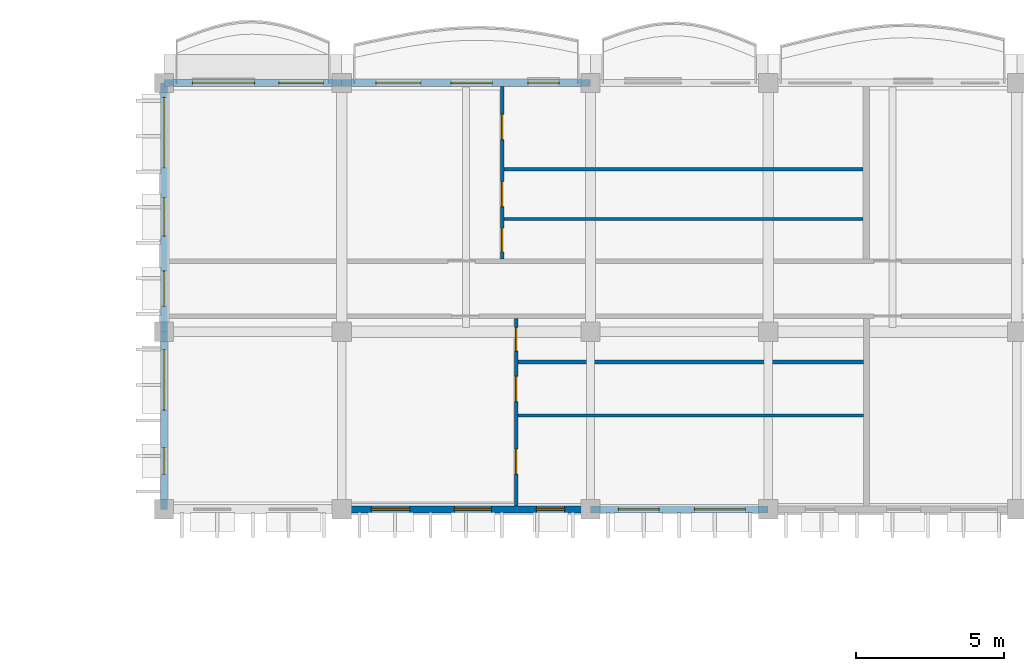
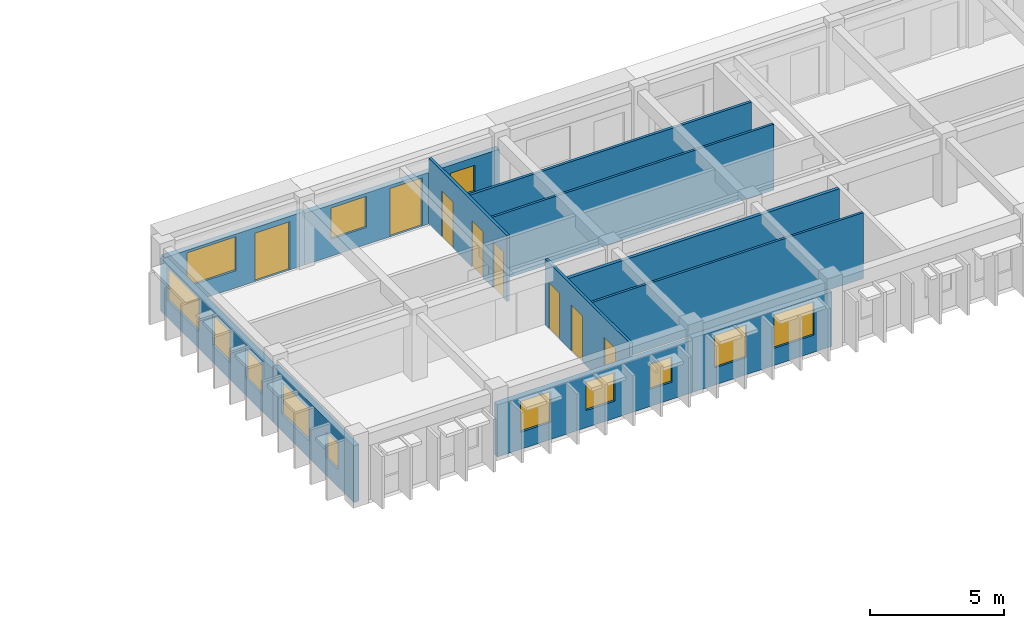
# One storey, part 54 of 101: 13 windows, 12 walls, 8 doors, 21 openings.
"""IFC4 building model written with IfcOpenShell, lengths in metres."""

from ifc_helpers import new_model, si_unit, direction, frame, frame_2d, origin, place, context, subcontext, project, spatial, rectangle, extrude, material, layer, layer_set, type_object, element, fill, save


model = new_model("IFC4")

# Units and contexts
model_context = context("Model", 3, precision=1e-05, world=origin(), true_north=direction((0.0, 1.0)))
body_context = subcontext(model_context, "Body", "Model", "MODEL_VIEW")
ifc_project = project(units=[si_unit("LENGTHUNIT", "METRE"), si_unit("AREAUNIT", "SQUARE_METRE"), si_unit("VOLUMEUNIT", "CUBIC_METRE"), si_unit("PLANEANGLEUNIT", "RADIAN"), si_unit("MASSUNIT", "GRAM", prefix="KILO"), si_unit("THERMODYNAMICTEMPERATUREUNIT", "KELVIN")], contexts=[model_context])

# Site, building, storey
site_placement = place(None, origin())
site = spatial("IfcSite", under=ifc_project, at=site_placement, CompositionType="ELEMENT")
building_placement = place(site_placement, origin())
building = spatial("IfcBuilding", under=site, at=building_placement, Name="Thalorik Housing Commons", CompositionType="ELEMENT")
storey_placement = place(building_placement, frame((0.0, 0.0, 8.10009765625)))
storey = spatial("IfcBuildingStorey", under=building, at=storey_placement, Name="L02", CompositionType="ELEMENT", Elevation=8.10009765625)

# Wall, openings, door, windows
ifc_material_1 = material(Name="White precast concrete C40/50", Category="concrete")
ifc_layer_1 = layer(ifc_material_1, 0.235107421875, Name="White precast concrete C40/50", Category="concrete")
ifc_layer_set_1 = layer_set([ifc_layer_1], Name="White precast concrete C40/50")
wall_type_1 = type_object("IfcWallType", Name="ARC-WAL-EXT-235", PredefinedType="STANDARD", material=ifc_layer_set_1)
wall_1_placement = place(storey_placement, frame((94.800048828125, 123.60009765625, 0.0), z_axis=(0.0, 0.0, 1.0), x_axis=(-1.0, 0.0, 0.0)))
wall_1 = element("IfcWall", 1, at=wall_1_placement, inside=storey, type_object=wall_type_1, Name="L02 Exterior Wall WAL-EXT-L02-B-0458", PredefinedType="STANDARD", context=body_context, shape_type="SweptSolid", body=[
    extrude(rectangle(XDim=8.400146484375, YDim=0.235107421875, at=frame_2d((4.2001953125, 0.0))), origin(), (0.0, 0.0, 1.0), 2.344970703125),
])
opening_1_placement = place(wall_1_placement, frame((3.313232421875, 0.0, 0.0)))
opening_1 = element("IfcOpeningElement", 2, at=opening_1_placement, cuts=wall_1, Name="Opening ED-0134", PredefinedType="OPENING", context=body_context, shape_type="SweptSolid", body=[
    extrude(rectangle(XDim=1.39990234375, YDim=2.199951171875, at=frame_2d((0.699951171875, 1.10009765625))), frame((0.0, 0.12744140625, 0.0), z_axis=(0.0, -1.0, 0.0), x_axis=(1.0, 0.0, 0.0)), (0.0, 0.0, 1.0), 0.255126953125),
])
opening_2_placement = place(wall_1_placement, frame((1.0615234375, 0.0, 0.780029296875)))
opening_2 = element("IfcOpeningElement", 3, at=opening_2_placement, cuts=wall_1, Name="Opening W-44", PredefinedType="OPENING", context=body_context, shape_type="SweptSolid", body=[
    extrude(rectangle(XDim=1.050048828125, YDim=1.199951171875, at=frame_2d((0.52490234375, 0.60009765625))), frame((0.0, 0.12744140625, 0.0), z_axis=(0.0, -1.0, 0.0), x_axis=(1.0, 0.0, 0.0)), (0.0, 0.0, 1.0), 0.255126953125),
])
opening_3_placement = place(wall_1_placement, frame((5.7265625, 0.0, 0.780029296875)))
opening_3 = element("IfcOpeningElement", 4, at=opening_3_placement, cuts=wall_1, Name="Opening W-52", PredefinedType="OPENING", context=body_context, shape_type="SweptSolid", body=[
    extrude(rectangle(XDim=1.52001953125, YDim=1.419921875, at=frame_2d((0.760009765625, 0.7099609375))), frame((0.0, 0.12744140625, 0.0), z_axis=(0.0, -1.0, 0.0), x_axis=(1.0, 0.0, 0.0)), (0.0, 0.0, 1.0), 0.255126953125),
])
ifc_material_2 = material(Name="Anodised aluminium and laminated safety glass", Category="aluminium")
door_type_1 = type_object("IfcDoorType", Name="ARC-DR-BAL-1400", OperationType="NOTDEFINED", PredefinedType="DOOR", material=ifc_material_2)
door_1_placement = place(opening_1_placement, frame((1.39990234375, 0.0, 0.0), z_axis=(0.0, 0.0, 1.0), x_axis=(-1.0, 0.0, 0.0)))
door_1 = element("IfcDoor", 5, at=door_1_placement, inside=storey, type_object=door_type_1, Name="L02 Block B Balcony Glazed Door", OperationType="SLIDING_TO_LEFT", OverallHeight=2.199951171875, OverallWidth=1.39990234375, PredefinedType="DOOR", context=body_context, shape_type="SweptSolid", body=[
    extrude(rectangle(XDim=1.39990234375, YDim=2.199951171875, at=frame_2d((0.699951171875, 1.10009765625))), frame((0.0, 0.02490234375, 0.0), z_axis=(0.0, -1.0, 0.0), x_axis=(1.0, 0.0, 0.0)), (0.0, 0.0, 1.0), 0.050048828125),
])
fill(opening_1, door_1)
ifc_material_3 = material(Name="Anodised aluminium and solar-control low-E glass", Category="aluminium")
window_type_1 = type_object("IfcWindowType", Name="ARC-WIN-44", PartitioningType="SINGLE_PANEL", PredefinedType="WINDOW", material=ifc_material_3)
window_1_placement = place(opening_2_placement, origin())
window_1 = element("IfcWindow", 6, at=window_1_placement, inside=storey, type_object=window_type_1, Name="L02 Facade Window 813", OverallHeight=1.199951171875, OverallWidth=1.050048828125, PartitioningType="SINGLE_PANEL", PredefinedType="WINDOW", context=body_context, shape_type="SweptSolid", body=[
    extrude(rectangle(XDim=1.050048828125, YDim=1.199951171875, at=frame_2d((0.52490234375, 0.60009765625))), frame((0.0, 0.030029296875, 0.0), z_axis=(0.0, -1.0, 0.0), x_axis=(1.0, 0.0, 0.0)), (0.0, 0.0, 1.0), 0.06005859375),
])
fill(opening_2, window_1)
window_type_2 = type_object("IfcWindowType", Name="ARC-WIN-52", PartitioningType="SINGLE_PANEL", PredefinedType="WINDOW", material=ifc_material_3)
window_2_placement = place(opening_3_placement, origin())
window_2 = element("IfcWindow", 7, at=window_2_placement, inside=storey, type_object=window_type_2, Name="L02 Facade Window 814", OverallHeight=1.419921875, OverallWidth=1.52001953125, PartitioningType="SINGLE_PANEL", PredefinedType="WINDOW", context=body_context, shape_type="SweptSolid", body=[
    extrude(rectangle(XDim=1.52001953125, YDim=1.419921875, at=frame_2d((0.760009765625, 0.7099609375))), frame((0.0, 0.030029296875, 0.0), z_axis=(0.0, -1.0, 0.0), x_axis=(1.0, 0.0, 0.0)), (0.0, 0.0, 1.0), 0.06005859375),
])
fill(opening_3, window_2)

# Wall, openings, door, window
wall_2_placement = place(storey_placement, frame((86.39990234375, 123.60009765625, 0.0), z_axis=(0.0, 0.0, 1.0), x_axis=(-1.0, 0.0, 0.0)))
wall_2 = element("IfcWall", 8, at=wall_2_placement, inside=storey, type_object=wall_type_1, Name="L02 Exterior Wall WAL-EXT-L02-B-0459", PredefinedType="STANDARD", context=body_context, shape_type="SweptSolid", body=[
    extrude(rectangle(XDim=6.0, YDim=0.235107421875, at=frame_2d((3.0, 0.0))), origin(), (0.0, 0.0, 1.0), 2.44482421875),
])
opening_4_placement = place(wall_2_placement, frame((0.6201171875, 0.0, 0.0)))
opening_4 = element("IfcOpeningElement", 9, at=opening_4_placement, cuts=wall_2, Name="Opening ED-0135", PredefinedType="OPENING", context=body_context, shape_type="SweptSolid", body=[
    extrude(rectangle(XDim=1.5, YDim=2.199951171875, at=frame_2d((0.75, 1.10009765625))), frame((0.0, 0.12744140625, 0.0), z_axis=(0.0, -1.0, 0.0), x_axis=(1.0, 0.0, 0.0)), (0.0, 0.0, 1.0), 0.255126953125),
])
opening_5_placement = place(wall_2_placement, frame((2.93994140625, 0.0, 0.780029296875)))
opening_5 = element("IfcOpeningElement", 10, at=opening_5_placement, cuts=wall_2, Name="Opening W-26", PredefinedType="OPENING", context=body_context, shape_type="SweptSolid", body=[
    extrude(rectangle(XDim=2.10009765625, YDim=1.550048828125, at=frame_2d((1.050048828125, 0.77490234375))), frame((0.0, 0.12744140625, 0.0), z_axis=(0.0, -1.0, 0.0), x_axis=(1.0, 0.0, 0.0)), (0.0, 0.0, 1.0), 0.255126953125),
])
door_type_2 = type_object("IfcDoorType", Name="ARC-DR-BAL-1500", OperationType="NOTDEFINED", PredefinedType="DOOR", material=ifc_material_2)
door_2_placement = place(opening_4_placement, frame((1.5, 0.0, 0.0), z_axis=(0.0, 0.0, 1.0), x_axis=(-1.0, 0.0, 0.0)))
door_2 = element("IfcDoor", 11, at=door_2_placement, inside=storey, type_object=door_type_2, Name="L02 Block B Balcony Glazed Door", OperationType="SLIDING_TO_RIGHT", OverallHeight=2.199951171875, OverallWidth=1.5, PredefinedType="DOOR", context=body_context, shape_type="SweptSolid", body=[
    extrude(rectangle(XDim=1.5, YDim=2.199951171875, at=frame_2d((0.75, 1.10009765625))), frame((0.0, 0.02490234375, 0.0), z_axis=(0.0, -1.0, 0.0), x_axis=(1.0, 0.0, 0.0)), (0.0, 0.0, 1.0), 0.050048828125),
])
fill(opening_4, door_2)
window_type_3 = type_object("IfcWindowType", Name="ARC-WIN-26", PartitioningType="DOUBLE_PANEL_VERTICAL", PredefinedType="WINDOW", material=ifc_material_3)
window_3_placement = place(opening_5_placement, origin())
window_3 = element("IfcWindow", 12, at=window_3_placement, inside=storey, type_object=window_type_3, Name="L02 Facade Window 815", OverallHeight=1.550048828125, OverallWidth=2.10009765625, PartitioningType="DOUBLE_PANEL_VERTICAL", PredefinedType="WINDOW", context=body_context, shape_type="SweptSolid", body=[
    extrude(rectangle(XDim=2.10009765625, YDim=1.550048828125, at=frame_2d((1.050048828125, 0.77490234375))), frame((0.0, 0.030029296875, 0.0), z_axis=(0.0, -1.0, 0.0), x_axis=(1.0, 0.0, 0.0)), (0.0, 0.0, 1.0), 0.06005859375),
])
fill(opening_5, window_3)

# Wall, openings, windows
wall_3_placement = place(storey_placement, frame((80.39990234375, 123.60009765625, 0.0), z_axis=(0.0, 0.0, 1.0), x_axis=(0.0, -1.0, 0.0)))
wall_3 = element("IfcWall", 13, at=wall_3_placement, inside=storey, type_object=wall_type_1, Name="L02 Exterior Wall WAL-EXT-L02-B-0460", PredefinedType="STANDARD", context=body_context, shape_type="SweptSolid", body=[
    extrude(rectangle(XDim=8.400146484375, YDim=0.235107421875, at=frame_2d((4.2001953125, 0.0))), origin(), (0.0, 0.0, 1.0), 2.4248046875),
])
opening_6_placement = place(wall_3_placement, frame((0.492431640625, 0.0, 0.780029296875)))
opening_6 = element("IfcOpeningElement", 14, at=opening_6_placement, cuts=wall_3, Name="Opening W-69", PredefinedType="OPENING", context=body_context, shape_type="SweptSolid", body=[
    extrude(rectangle(XDim=2.3798828125, YDim=1.47998046875, at=frame_2d((1.18994140625, 0.739990234375))), frame((0.0, 0.12744140625, 0.0), z_axis=(0.0, -1.0, 0.0), x_axis=(1.0, 0.0, 0.0)), (0.0, 0.0, 1.0), 0.255126953125),
])
opening_7_placement = place(wall_3_placement, frame((3.87744140625, 0.0, 0.780029296875)))
opening_7 = element("IfcOpeningElement", 15, at=opening_7_placement, cuts=wall_3, Name="Opening W-06", PredefinedType="OPENING", context=body_context, shape_type="SweptSolid", body=[
    extrude(rectangle(XDim=1.300048828125, YDim=1.39990234375, at=frame_2d((0.64990234375, 0.699951171875))), frame((0.0, 0.12744140625, 0.0), z_axis=(0.0, -1.0, 0.0), x_axis=(1.0, 0.0, 0.0)), (0.0, 0.0, 1.0), 0.255126953125),
])
opening_8_placement = place(wall_3_placement, frame((6.35009765625, 0.0, 0.780029296875)))
opening_8 = element("IfcOpeningElement", 16, at=opening_8_placement, cuts=wall_3, Name="Opening W-04", PredefinedType="OPENING", context=body_context, shape_type="SweptSolid", body=[
    extrude(rectangle(XDim=1.199951171875, YDim=1.35009765625, at=frame_2d((0.60009765625, 0.675048828125))), frame((0.0, 0.12744140625, 0.0), z_axis=(0.0, -1.0, 0.0), x_axis=(1.0, 0.0, 0.0)), (0.0, 0.0, 1.0), 0.255126953125),
])
window_type_4 = type_object("IfcWindowType", Name="ARC-WIN-04", PartitioningType="SINGLE_PANEL", PredefinedType="WINDOW", material=ifc_material_3)
window_4_placement = place(opening_8_placement, origin())
window_4 = element("IfcWindow", 17, at=window_4_placement, inside=storey, type_object=window_type_4, Name="L02 Facade Window 818", OverallHeight=1.35009765625, OverallWidth=1.199951171875, PartitioningType="SINGLE_PANEL", PredefinedType="WINDOW", context=body_context, shape_type="SweptSolid", body=[
    extrude(rectangle(XDim=1.199951171875, YDim=1.35009765625, at=frame_2d((0.60009765625, 0.675048828125))), frame((0.0, 0.030029296875, 0.0), z_axis=(0.0, -1.0, 0.0), x_axis=(1.0, 0.0, 0.0)), (0.0, 0.0, 1.0), 0.06005859375),
])
fill(opening_8, window_4)
window_type_5 = type_object("IfcWindowType", Name="ARC-WIN-06", PartitioningType="SINGLE_PANEL", PredefinedType="WINDOW", material=ifc_material_3)
window_5_placement = place(opening_7_placement, origin())
window_5 = element("IfcWindow", 18, at=window_5_placement, inside=storey, type_object=window_type_5, Name="L02 Facade Window 817", OverallHeight=1.39990234375, OverallWidth=1.300048828125, PartitioningType="SINGLE_PANEL", PredefinedType="WINDOW", context=body_context, shape_type="SweptSolid", body=[
    extrude(rectangle(XDim=1.300048828125, YDim=1.39990234375, at=frame_2d((0.64990234375, 0.699951171875))), frame((0.0, 0.030029296875, 0.0), z_axis=(0.0, -1.0, 0.0), x_axis=(1.0, 0.0, 0.0)), (0.0, 0.0, 1.0), 0.06005859375),
])
fill(opening_7, window_5)
window_type_6 = type_object("IfcWindowType", Name="ARC-WIN-69", PartitioningType="DOUBLE_PANEL_VERTICAL", PredefinedType="WINDOW", material=ifc_material_3)
window_6_placement = place(opening_6_placement, origin())
window_6 = element("IfcWindow", 19, at=window_6_placement, inside=storey, type_object=window_type_6, Name="L02 Facade Window 816", OverallHeight=1.47998046875, OverallWidth=2.3798828125, PartitioningType="DOUBLE_PANEL_VERTICAL", PredefinedType="WINDOW", context=body_context, shape_type="SweptSolid", body=[
    extrude(rectangle(XDim=2.3798828125, YDim=1.47998046875, at=frame_2d((1.18994140625, 0.739990234375))), frame((0.0, 0.030029296875, 0.0), z_axis=(0.0, -1.0, 0.0), x_axis=(1.0, 0.0, 0.0)), (0.0, 0.0, 1.0), 0.06005859375),
])
fill(opening_6, window_6)

wall_4_placement = place(storey_placement, frame((80.39990234375, 115.199951171875, 0.0), z_axis=(0.0, 0.0, 1.0), x_axis=(0.0, -1.0, 0.0)))
wall_4 = element("IfcWall", 20, at=wall_4_placement, inside=storey, type_object=wall_type_1, Name="L02 Exterior Wall WAL-EXT-L02-B-0461", PredefinedType="STANDARD", context=body_context, shape_type="SweptSolid", body=[
    extrude(rectangle(XDim=6.0, YDim=0.235107421875, at=frame_2d((3.0, 0.0))), origin(), (0.0, 0.0, 1.0), 2.574951171875),
])
opening_9_placement = place(wall_4_placement, frame((0.610107421875, 0.0, 0.780029296875)))
opening_9 = element("IfcOpeningElement", 21, at=opening_9_placement, cuts=wall_4, Name="Opening W-62", PredefinedType="OPENING", context=body_context, shape_type="SweptSolid", body=[
    extrude(rectangle(XDim=2.0400390625, YDim=1.4599609375, at=frame_2d((1.02001953125, 0.72998046875))), frame((0.0, 0.12744140625, 0.0), z_axis=(0.0, -1.0, 0.0), x_axis=(1.0, 0.0, 0.0)), (0.0, 0.0, 1.0), 0.255126953125),
])
opening_10_placement = place(wall_4_placement, frame((3.919921875, 0.0, 0.780029296875)))
opening_10 = element("IfcOpeningElement", 22, at=opening_10_placement, cuts=wall_4, Name="Opening W-01", PredefinedType="OPENING", context=body_context, shape_type="SweptSolid", body=[
    extrude(rectangle(XDim=0.89990234375, YDim=1.199951171875, at=frame_2d((0.449951171875, 0.60009765625))), frame((0.0, 0.12744140625, 0.0), z_axis=(0.0, -1.0, 0.0), x_axis=(1.0, 0.0, 0.0)), (0.0, 0.0, 1.0), 0.255126953125),
])
window_type_7 = type_object("IfcWindowType", Name="ARC-WIN-01", PartitioningType="SINGLE_PANEL", PredefinedType="WINDOW", material=ifc_material_3)
window_7_placement = place(opening_10_placement, origin())
window_7 = element("IfcWindow", 23, at=window_7_placement, inside=storey, type_object=window_type_7, Name="L02 Facade Window 820", OverallHeight=1.199951171875, OverallWidth=0.89990234375, PartitioningType="SINGLE_PANEL", PredefinedType="WINDOW", context=body_context, shape_type="SweptSolid", body=[
    extrude(rectangle(XDim=0.89990234375, YDim=1.199951171875, at=frame_2d((0.449951171875, 0.60009765625))), frame((0.0, 0.030029296875, 0.0), z_axis=(0.0, -1.0, 0.0), x_axis=(1.0, 0.0, 0.0)), (0.0, 0.0, 1.0), 0.06005859375),
])
fill(opening_10, window_7)
window_type_8 = type_object("IfcWindowType", Name="ARC-WIN-62", PartitioningType="DOUBLE_PANEL_VERTICAL", PredefinedType="WINDOW", material=ifc_material_3)
window_8_placement = place(opening_9_placement, origin())
window_8 = element("IfcWindow", 24, at=window_8_placement, inside=storey, type_object=window_type_8, Name="L02 Facade Window 819", OverallHeight=1.4599609375, OverallWidth=2.0400390625, PartitioningType="DOUBLE_PANEL_VERTICAL", PredefinedType="WINDOW", context=body_context, shape_type="SweptSolid", body=[
    extrude(rectangle(XDim=2.0400390625, YDim=1.4599609375, at=frame_2d((1.02001953125, 0.72998046875))), frame((0.0, 0.030029296875, 0.0), z_axis=(0.0, -1.0, 0.0), x_axis=(1.0, 0.0, 0.0)), (0.0, 0.0, 1.0), 0.06005859375),
])
fill(opening_9, window_8)

wall_5_placement = place(storey_placement, frame((86.39990234375, 109.199951171875, 0.0), z_axis=(0.0, 0.0, 1.0), x_axis=(1.0, 0.0, 0.0)))
wall_5 = element("IfcWall", 25, at=wall_5_placement, inside=storey, type_object=wall_type_1, Name="L02 Exterior Wall WAL-EXT-L02-B-0463", PredefinedType="STANDARD", context=body_context, shape_type="SweptSolid", body=[
    extrude(rectangle(XDim=8.400146484375, YDim=0.235107421875, at=frame_2d((4.2001953125, 0.0))), origin(), (0.0, 0.0, 1.0), 2.375),
])
opening_11_placement = place(wall_5_placement, frame((1.0, 0.0, 0.780029296875)))
opening_11 = element("IfcOpeningElement", 26, at=opening_11_placement, cuts=wall_5, Name="Opening W-06", PredefinedType="OPENING", context=body_context, shape_type="SweptSolid", body=[
    extrude(rectangle(XDim=1.300048828125, YDim=1.39990234375, at=frame_2d((0.64990234375, 0.699951171875))), frame((0.0, 0.12744140625, 0.0), z_axis=(0.0, -1.0, 0.0), x_axis=(1.0, 0.0, 0.0)), (0.0, 0.0, 1.0), 0.255126953125),
])
opening_12_placement = place(wall_5_placement, frame((3.804931640625, 0.0, 0.780029296875)))
opening_12 = element("IfcOpeningElement", 27, at=opening_12_placement, cuts=wall_5, Name="Opening W-46", PredefinedType="OPENING", context=body_context, shape_type="SweptSolid", body=[
    extrude(rectangle(XDim=1.25, YDim=1.300048828125, at=frame_2d((0.625, 0.64990234375))), frame((0.0, 0.12744140625, 0.0), z_axis=(0.0, -1.0, 0.0), x_axis=(1.0, 0.0, 0.0)), (0.0, 0.0, 1.0), 0.255126953125),
])
opening_13_placement = place(wall_5_placement, frame((6.574951171875, 0.0, 0.780029296875)))
opening_13 = element("IfcOpeningElement", 28, at=opening_13_placement, cuts=wall_5, Name="Opening W-43", PredefinedType="OPENING", context=body_context, shape_type="SweptSolid", body=[
    extrude(rectangle(XDim=0.949951171875, YDim=1.14990234375, at=frame_2d((0.47509765625, 0.574951171875))), frame((0.0, 0.12744140625, 0.0), z_axis=(0.0, -1.0, 0.0), x_axis=(1.0, 0.0, 0.0)), (0.0, 0.0, 1.0), 0.255126953125),
])
window_9_placement = place(opening_11_placement, origin())
window_9 = element("IfcWindow", 29, at=window_9_placement, inside=storey, type_object=window_type_5, Name="L02 Facade Window 823", OverallHeight=1.39990234375, OverallWidth=1.300048828125, PartitioningType="SINGLE_PANEL", PredefinedType="WINDOW", context=body_context, shape_type="SweptSolid", body=[
    extrude(rectangle(XDim=1.300048828125, YDim=1.39990234375, at=frame_2d((0.64990234375, 0.699951171875))), frame((0.0, 0.030029296875, 0.0), z_axis=(0.0, -1.0, 0.0), x_axis=(1.0, 0.0, 0.0)), (0.0, 0.0, 1.0), 0.06005859375),
])
fill(opening_11, window_9)
window_type_9 = type_object("IfcWindowType", Name="ARC-WIN-43", PartitioningType="SINGLE_PANEL", PredefinedType="WINDOW", material=ifc_material_3)
window_10_placement = place(opening_13_placement, origin())
window_10 = element("IfcWindow", 30, at=window_10_placement, inside=storey, type_object=window_type_9, Name="L02 Facade Window 825", OverallHeight=1.14990234375, OverallWidth=0.949951171875, PartitioningType="SINGLE_PANEL", PredefinedType="WINDOW", context=body_context, shape_type="SweptSolid", body=[
    extrude(rectangle(XDim=0.949951171875, YDim=1.14990234375, at=frame_2d((0.47509765625, 0.574951171875))), frame((0.0, 0.030029296875, 0.0), z_axis=(0.0, -1.0, 0.0), x_axis=(1.0, 0.0, 0.0)), (0.0, 0.0, 1.0), 0.06005859375),
])
fill(opening_13, window_10)
window_type_10 = type_object("IfcWindowType", Name="ARC-WIN-46", PartitioningType="SINGLE_PANEL", PredefinedType="WINDOW", material=ifc_material_3)
window_11_placement = place(opening_12_placement, origin())
window_11 = element("IfcWindow", 31, at=window_11_placement, inside=storey, type_object=window_type_10, Name="L02 Facade Window 824", OverallHeight=1.300048828125, OverallWidth=1.25, PartitioningType="SINGLE_PANEL", PredefinedType="WINDOW", context=body_context, shape_type="SweptSolid", body=[
    extrude(rectangle(XDim=1.25, YDim=1.300048828125, at=frame_2d((0.625, 0.64990234375))), frame((0.0, 0.030029296875, 0.0), z_axis=(0.0, -1.0, 0.0), x_axis=(1.0, 0.0, 0.0)), (0.0, 0.0, 1.0), 0.06005859375),
])
fill(opening_12, window_11)

wall_6_placement = place(storey_placement, frame((94.800048828125, 109.199951171875, 0.0), z_axis=(0.0, 0.0, 1.0), x_axis=(1.0, 0.0, 0.0)))
wall_6 = element("IfcWall", 32, at=wall_6_placement, inside=storey, type_object=wall_type_1, Name="L02 Exterior Wall WAL-EXT-L02-B-0464", PredefinedType="STANDARD", context=body_context, shape_type="SweptSolid", body=[
    extrude(rectangle(XDim=6.0, YDim=0.235107421875, at=frame_2d((3.0, 0.0))), origin(), (0.0, 0.0, 1.0), 2.474853515625),
])
opening_14_placement = place(wall_6_placement, frame((0.93994140625, 0.0, 0.780029296875)))
opening_14 = element("IfcOpeningElement", 33, at=opening_14_placement, cuts=wall_6, Name="Opening W-49", PredefinedType="OPENING", context=body_context, shape_type="SweptSolid", body=[
    extrude(rectangle(XDim=1.3798828125, YDim=1.47998046875, at=frame_2d((0.68994140625, 0.739990234375))), frame((0.0, 0.12744140625, 0.0), z_axis=(0.0, -1.0, 0.0), x_axis=(1.0, 0.0, 0.0)), (0.0, 0.0, 1.0), 0.255126953125),
])
opening_15_placement = place(wall_6_placement, frame((3.510009765625, 0.0, 0.780029296875)))
opening_15 = element("IfcOpeningElement", 34, at=opening_15_placement, cuts=wall_6, Name="Opening W-56", PredefinedType="OPENING", context=body_context, shape_type="SweptSolid", body=[
    extrude(rectangle(XDim=1.719970703125, YDim=1.52001953125, at=frame_2d((0.85986328125, 0.760009765625))), frame((0.0, 0.12744140625, 0.0), z_axis=(0.0, -1.0, 0.0), x_axis=(1.0, 0.0, 0.0)), (0.0, 0.0, 1.0), 0.255126953125),
])
window_type_11 = type_object("IfcWindowType", Name="ARC-WIN-49", PartitioningType="SINGLE_PANEL", PredefinedType="WINDOW", material=ifc_material_3)
window_12_placement = place(opening_14_placement, origin())
window_12 = element("IfcWindow", 35, at=window_12_placement, inside=storey, type_object=window_type_11, Name="L02 Facade Window 826", OverallHeight=1.47998046875, OverallWidth=1.3798828125, PartitioningType="SINGLE_PANEL", PredefinedType="WINDOW", context=body_context, shape_type="SweptSolid", body=[
    extrude(rectangle(XDim=1.3798828125, YDim=1.47998046875, at=frame_2d((0.68994140625, 0.739990234375))), frame((0.0, 0.030029296875, 0.0), z_axis=(0.0, -1.0, 0.0), x_axis=(1.0, 0.0, 0.0)), (0.0, 0.0, 1.0), 0.06005859375),
])
fill(opening_14, window_12)
window_type_12 = type_object("IfcWindowType", Name="ARC-WIN-56", PartitioningType="DOUBLE_PANEL_VERTICAL", PredefinedType="WINDOW", material=ifc_material_3)
window_13_placement = place(opening_15_placement, origin())
window_13 = element("IfcWindow", 36, at=window_13_placement, inside=storey, type_object=window_type_12, Name="L02 Facade Window 827", OverallHeight=1.52001953125, OverallWidth=1.719970703125, PartitioningType="DOUBLE_PANEL_VERTICAL", PredefinedType="WINDOW", context=body_context, shape_type="SweptSolid", body=[
    extrude(rectangle(XDim=1.719970703125, YDim=1.52001953125, at=frame_2d((0.85986328125, 0.760009765625))), frame((0.0, 0.030029296875, 0.0), z_axis=(0.0, -1.0, 0.0), x_axis=(1.0, 0.0, 0.0)), (0.0, 0.0, 1.0), 0.06005859375),
])
fill(opening_15, window_13)

# Walls
ifc_material_4 = material(Name="Gypsum light stud partition", Category="masonry")
ifc_layer_2 = layer(ifc_material_4, 0.10009765625, Name="Gypsum light stud partition", Category="masonry")
ifc_layer_set_2 = layer_set([ifc_layer_2], Name="Gypsum light stud partition")
wall_type_2 = type_object("IfcWallType", Name="ARC-WAL-PART-100", PredefinedType="PARTITIONING", material=ifc_layer_set_2)
wall_7_placement = place(storey_placement, frame((92.349609375, 112.36083984375, 0.0), z_axis=(0.0, 0.0, 1.0), x_axis=(1.0, 0.0, 0.0)))
element("IfcWall", 37, at=wall_7_placement, inside=storey, type_object=wall_type_2, Name="L02 Unit 1 Bedroom Partition", PredefinedType="PARTITIONING", context=body_context, shape_type="SweptSolid", body=[
    extrude(rectangle(XDim=11.66845703125, YDim=0.10009765625, at=frame_2d((5.834228515625, 0.0))), origin(), (0.0, 0.0, 1.0), 3.0),
])
wall_8_placement = place(storey_placement, frame((91.88134765625, 119.010498046875, 0.0), z_axis=(0.0, 0.0, 1.0), x_axis=(1.0, 0.0, 0.0)))
element("IfcWall", 38, at=wall_8_placement, inside=storey, type_object=wall_type_2, Name="L02 Unit 1B Wet Wall", PredefinedType="PARTITIONING", context=body_context, shape_type="SweptSolid", body=[
    extrude(rectangle(XDim=12.126708984375, YDim=0.10009765625, at=frame_2d((6.0634765625, 0.0))), origin(), (0.0, 0.0, 1.0), 3.0),
])

# Wall, openings, doors
ifc_material_5 = material(Name="Gypsum moisture-resistant partition", Category="masonry")
ifc_layer_3 = layer(ifc_material_5, 0.114990234375, Name="Gypsum moisture-resistant partition", Category="masonry")
ifc_layer_set_3 = layer_set([ifc_layer_3], Name="Gypsum moisture-resistant partition")
wall_type_3 = type_object("IfcWallType", Name="ARC-WAL-PART-115", PredefinedType="PARTITIONING", material=ifc_layer_set_3)
wall_9_placement = place(storey_placement, frame((92.2900390625, 109.319580078125, 0.0), z_axis=(0.0, 0.0, 1.0), x_axis=(0.0, 1.0, 0.0)))
wall_9 = element("IfcWall", 39, at=wall_9_placement, inside=storey, type_object=wall_type_3, Name="L02 Unit 1 Spine Partition", PredefinedType="PARTITIONING", context=body_context, shape_type="SweptSolid", body=[
    extrude(rectangle(XDim=6.31591796875, YDim=0.114990234375, at=frame_2d((3.157958984375, 0.0))), origin(), (0.0, 0.0, 1.0), 3.0),
])
opening_16_placement = place(wall_9_placement, frame((1.06591796875, 0.0, 0.0)))
opening_16 = element("IfcOpeningElement", 40, at=opening_16_placement, cuts=wall_9, Name="Opening ID-1025", PredefinedType="OPENING", context=body_context, shape_type="SweptSolid", body=[
    extrude(rectangle(XDim=0.85009765625, YDim=2.10009765625, at=frame_2d((0.425048828125, 1.050048828125))), frame((0.0, 0.0673828125, 0.0), z_axis=(0.0, -1.0, 0.0), x_axis=(1.0, 0.0, 0.0)), (0.0, 0.0, 1.0), 0.135009765625),
])
opening_17_placement = place(wall_9_placement, frame((3.520751953125, 0.0, 0.0)))
opening_17 = element("IfcOpeningElement", 41, at=opening_17_placement, cuts=wall_9, Name="Opening ID-1026", PredefinedType="OPENING", context=body_context, shape_type="SweptSolid", body=[
    extrude(rectangle(XDim=0.85009765625, YDim=2.10009765625, at=frame_2d((0.425048828125, 1.050048828125))), frame((0.0, 0.0673828125, 0.0), z_axis=(0.0, -1.0, 0.0), x_axis=(1.0, 0.0, 0.0)), (0.0, 0.0, 1.0), 0.135009765625),
])
opening_18_placement = place(wall_9_placement, frame((5.225341796875, 0.0, 0.0)))
opening_18 = element("IfcOpeningElement", 42, at=opening_18_placement, cuts=wall_9, Name="Opening ID-1027", PredefinedType="OPENING", context=body_context, shape_type="SweptSolid", body=[
    extrude(rectangle(XDim=0.800048828125, YDim=2.10009765625, at=frame_2d((0.39990234375, 1.050048828125))), frame((0.0, 0.0673828125, 0.0), z_axis=(0.0, -1.0, 0.0), x_axis=(1.0, 0.0, 0.0)), (0.0, 0.0, 1.0), 0.135009765625),
])
ifc_material_6 = material(Name="Moisture-resistant timber", Category="wood")
door_type_3 = type_object("IfcDoorType", Name="ARC-DR-INT-800", OperationType="NOTDEFINED", PredefinedType="DOOR", material=ifc_material_6)
door_3_placement = place(opening_18_placement, origin())
door_3 = element("IfcDoor", 43, at=door_3_placement, inside=storey, type_object=door_type_3, Name="L02 Flat Bathroom Door", OperationType="SINGLE_SWING_RIGHT", OverallHeight=2.10009765625, OverallWidth=0.800048828125, PredefinedType="DOOR", context=body_context, shape_type="SweptSolid", body=[
    extrude(rectangle(XDim=0.800048828125, YDim=2.10009765625, at=frame_2d((0.39990234375, 1.050048828125))), frame((0.0, 0.02490234375, 0.0), z_axis=(0.0, -1.0, 0.0), x_axis=(1.0, 0.0, 0.0)), (0.0, 0.0, 1.0), 0.050048828125),
])
fill(opening_18, door_3)
ifc_material_7 = material(Name="Engineered oak timber", Category="wood")
door_type_4 = type_object("IfcDoorType", Name="ARC-DR-INT-850", OperationType="NOTDEFINED", PredefinedType="DOOR", material=ifc_material_7)
door_4_placement = place(opening_16_placement, origin())
door_4 = element("IfcDoor", 44, at=door_4_placement, inside=storey, type_object=door_type_4, Name="L02 Single Bedroom Door", OperationType="SINGLE_SWING_RIGHT", OverallHeight=2.10009765625, OverallWidth=0.85009765625, PredefinedType="DOOR", context=body_context, shape_type="SweptSolid", body=[
    extrude(rectangle(XDim=0.85009765625, YDim=2.10009765625, at=frame_2d((0.425048828125, 1.050048828125))), frame((0.0, 0.02490234375, 0.0), z_axis=(0.0, -1.0, 0.0), x_axis=(1.0, 0.0, 0.0)), (0.0, 0.0, 1.0), 0.050048828125),
])
fill(opening_16, door_4)
door_5_placement = place(opening_17_placement, origin())
door_5 = element("IfcDoor", 45, at=door_5_placement, inside=storey, type_object=door_type_4, Name="L02 Galley Kitchen Door", OperationType="SINGLE_SWING_LEFT", OverallHeight=2.10009765625, OverallWidth=0.85009765625, PredefinedType="DOOR", context=body_context, shape_type="SweptSolid", body=[
    extrude(rectangle(XDim=0.85009765625, YDim=2.10009765625, at=frame_2d((0.425048828125, 1.050048828125))), frame((0.0, 0.02490234375, 0.0), z_axis=(0.0, -1.0, 0.0), x_axis=(1.0, 0.0, 0.0)), (0.0, 0.0, 1.0), 0.050048828125),
])
fill(opening_17, door_5)

# Wall
wall_10_placement = place(storey_placement, frame((91.88134765625, 120.67919921875, 0.0), z_axis=(0.0, 0.0, 1.0), x_axis=(1.0, 0.0, 0.0)))
element("IfcWall", 46, at=wall_10_placement, inside=storey, type_object=wall_type_3, Name="L02 Unit 1B Bedroom Partition", PredefinedType="PARTITIONING", context=body_context, shape_type="SweptSolid", body=[
    extrude(rectangle(XDim=12.126708984375, YDim=0.114990234375, at=frame_2d((6.0634765625, 0.0))), origin(), (0.0, 0.0, 1.0), 3.0),
])

# Wall, openings, doors
ifc_material_8 = material(Name="Gypsum acoustic stud partition", Category="masonry")
ifc_layer_4 = layer(ifc_material_8, 0.125, Name="Gypsum acoustic stud partition", Category="masonry")
ifc_layer_set_4 = layer_set([ifc_layer_4], Name="Gypsum acoustic stud partition")
wall_type_4 = type_object("IfcWallType", Name="ARC-WAL-PART-125", PredefinedType="PARTITIONING", material=ifc_layer_set_4)
wall_11_placement = place(storey_placement, frame((91.81689453125, 117.656982421875, 0.0), z_axis=(0.0, 0.0, 1.0), x_axis=(0.0, 1.0, 0.0)))
wall_11 = element("IfcWall", 47, at=wall_11_placement, inside=storey, type_object=wall_type_4, Name="L02 Unit 1B Spine Partition", PredefinedType="PARTITIONING", context=body_context, shape_type="SweptSolid", body=[
    extrude(rectangle(XDim=5.823486328125, YDim=0.125, at=frame_2d((2.91162109375, 0.0))), origin(), (0.0, 0.0, 1.0), 3.0),
])
opening_19_placement = place(wall_11_placement, frame((0.23828125, 0.0, 0.0)))
opening_19 = element("IfcOpeningElement", 48, at=opening_19_placement, cuts=wall_11, Name="Opening ID-1028", PredefinedType="OPENING", context=body_context, shape_type="SweptSolid", body=[
    extrude(rectangle(XDim=0.800048828125, YDim=2.10009765625, at=frame_2d((0.39990234375, 1.050048828125))), frame((0.0, 0.072509765625, 0.0), z_axis=(0.0, -1.0, 0.0), x_axis=(1.0, 0.0, 0.0)), (0.0, 0.0, 1.0), 0.14501953125),
])
opening_20_placement = place(wall_11_placement, frame((1.7626953125, 0.0, 0.0)))
opening_20 = element("IfcOpeningElement", 49, at=opening_20_placement, cuts=wall_11, Name="Opening ID-1029", PredefinedType="OPENING", context=body_context, shape_type="SweptSolid", body=[
    extrude(rectangle(XDim=0.85009765625, YDim=2.10009765625, at=frame_2d((0.425048828125, 1.050048828125))), frame((0.0, 0.072509765625, 0.0), z_axis=(0.0, -1.0, 0.0), x_axis=(1.0, 0.0, 0.0)), (0.0, 0.0, 1.0), 0.14501953125),
])
opening_21_placement = place(wall_11_placement, frame((4.027587890625, 0.0, 0.0)))
opening_21 = element("IfcOpeningElement", 50, at=opening_21_placement, cuts=wall_11, Name="Opening ID-1030", PredefinedType="OPENING", context=body_context, shape_type="SweptSolid", body=[
    extrude(rectangle(XDim=0.85009765625, YDim=2.10009765625, at=frame_2d((0.425048828125, 1.050048828125))), frame((0.0, 0.072509765625, 0.0), z_axis=(0.0, -1.0, 0.0), x_axis=(1.0, 0.0, 0.0)), (0.0, 0.0, 1.0), 0.14501953125),
])
door_6_placement = place(opening_19_placement, origin())
door_6 = element("IfcDoor", 51, at=door_6_placement, inside=storey, type_object=door_type_3, Name="L02 Flat Bathroom Door", OperationType="SINGLE_SWING_LEFT", OverallHeight=2.10009765625, OverallWidth=0.800048828125, PredefinedType="DOOR", context=body_context, shape_type="SweptSolid", body=[
    extrude(rectangle(XDim=0.800048828125, YDim=2.10009765625, at=frame_2d((0.39990234375, 1.050048828125))), frame((0.0, 0.02490234375, 0.0), z_axis=(0.0, -1.0, 0.0), x_axis=(1.0, 0.0, 0.0)), (0.0, 0.0, 1.0), 0.050048828125),
])
fill(opening_19, door_6)
door_7_placement = place(opening_20_placement, origin())
door_7 = element("IfcDoor", 52, at=door_7_placement, inside=storey, type_object=door_type_4, Name="L02 Eat-In Kitchen Door", OperationType="SINGLE_SWING_RIGHT", OverallHeight=2.10009765625, OverallWidth=0.85009765625, PredefinedType="DOOR", context=body_context, shape_type="SweptSolid", body=[
    extrude(rectangle(XDim=0.85009765625, YDim=2.10009765625, at=frame_2d((0.425048828125, 1.050048828125))), frame((0.0, 0.02490234375, 0.0), z_axis=(0.0, -1.0, 0.0), x_axis=(1.0, 0.0, 0.0)), (0.0, 0.0, 1.0), 0.050048828125),
])
fill(opening_20, door_7)
door_8_placement = place(opening_21_placement, origin())
door_8 = element("IfcDoor", 53, at=door_8_placement, inside=storey, type_object=door_type_4, Name="L02 Master Bedroom Door", OperationType="SINGLE_SWING_LEFT", OverallHeight=2.10009765625, OverallWidth=0.85009765625, PredefinedType="DOOR", context=body_context, shape_type="SweptSolid", body=[
    extrude(rectangle(XDim=0.85009765625, YDim=2.10009765625, at=frame_2d((0.425048828125, 1.050048828125))), frame((0.0, 0.02490234375, 0.0), z_axis=(0.0, -1.0, 0.0), x_axis=(1.0, 0.0, 0.0)), (0.0, 0.0, 1.0), 0.050048828125),
])
fill(opening_21, door_8)

# Wall
ifc_material_9 = material(Name="Ceramic masonry partition wall", Category="masonry")
ifc_layer_5 = layer(ifc_material_9, 0.139892578125, Name="Ceramic masonry partition wall", Category="masonry")
ifc_layer_set_5 = layer_set([ifc_layer_5], Name="Ceramic masonry partition wall")
wall_type_5 = type_object("IfcWallType", Name="ARC-WAL-PART-140", PredefinedType="PARTITIONING", material=ifc_layer_set_5)
wall_12_placement = place(storey_placement, frame((92.349609375, 114.169677734375, 0.0), z_axis=(0.0, 0.0, 1.0), x_axis=(1.0, 0.0, 0.0)))
element("IfcWall", 54, at=wall_12_placement, inside=storey, type_object=wall_type_5, Name="L02 Unit 1 Wet Wall", PredefinedType="PARTITIONING", context=body_context, shape_type="SweptSolid", body=[
    extrude(rectangle(XDim=11.66845703125, YDim=0.139892578125, at=frame_2d((5.834228515625, 0.0))), origin(), (0.0, 0.0, 1.0), 3.0),
])

save(model, "model.ifc")
